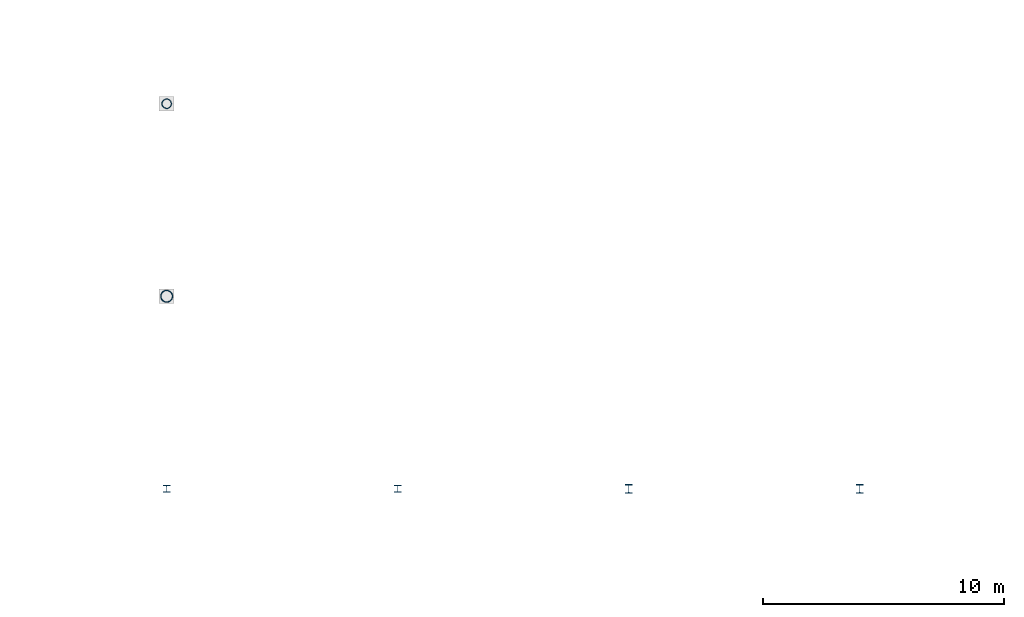
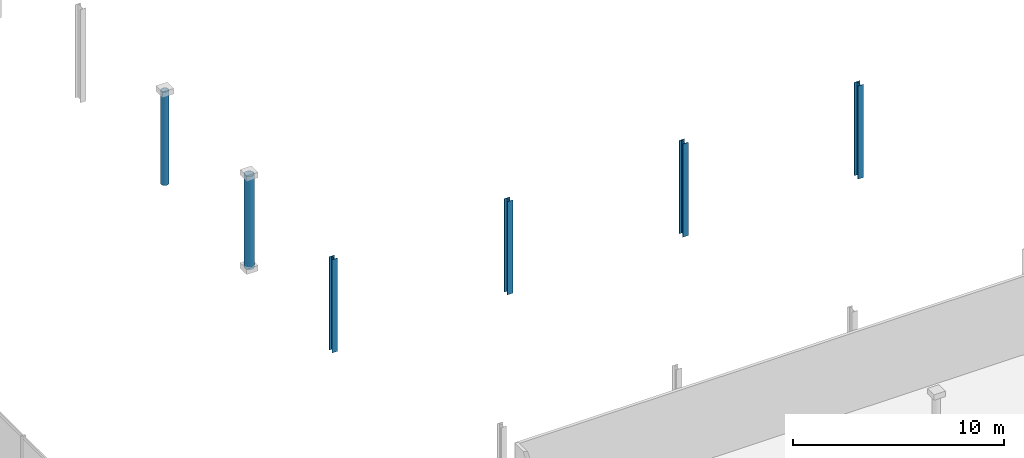
# One storey, part 14 of 129: 6 columns.
"""IFC4 building model written with IfcOpenShell, lengths in metres."""

import ifcopenshell
import ifcopenshell.guid

model = None  # the IFC model being written
_history = None  # IfcOwnerHistory: only IFC2X3 demands one
_inside = {}  # id of a spatial element -> (the spatial element, [elements in it])
_under = {}  # id of a project, library or spatial element -> (it, [spatial elements below it])
_declared = {}  # id of a project -> (the project, [libraries it declares])
_typed = {}  # id of a type object -> (the type object, [elements of that type])
_made_of = {}  # id of a material, layer set ... -> (it, [elements and type objects made of it])


def new_model(schema):
    """Start an empty IFC model of exactly this schema.

    Asked for "IFC4X3", IfcOpenShell would pick the latest addendum, in which some entities
    have other attributes; the version numbers below select the first issue.
    IFC2X3 requires an IfcOwnerHistory on every rooted entity: one is made here for all.
    """
    global model, _history
    if schema == "IFC4X3":
        model = ifcopenshell.file(schema_version=(4, 3, 0, 0))
    else:
        model = ifcopenshell.file(schema=schema)
    _inside.clear()
    _under.clear()
    _declared.clear()
    _typed.clear()
    _made_of.clear()
    _history = None
    if model.schema == "IFC2X3":
        org = make("IfcOrganization", Name="unknown")
        user = make(
            "IfcPersonAndOrganization",
            ThePerson=make("IfcPerson", FamilyName="unknown"),
            TheOrganization=org,
        )
        app = make(
            "IfcApplication",
            ApplicationDeveloper=org,
            Version="unknown",
            ApplicationFullName="unknown",
            ApplicationIdentifier="unknown",
        )
        _history = make(
            "IfcOwnerHistory",
            OwningUser=user,
            OwningApplication=app,
            ChangeAction="ADDED",
            CreationDate=0,
        )
    return model


def make(cls, **values):
    """One entity of the class cls with the attributes given. An attribute that is None is left unset."""
    return model.create_entity(
        cls, **{name: value for name, value in values.items() if value is not None}
    )


def rooted(cls, **values):
    """An entity with a GlobalId (a new one), such as an element, a storey or a relation."""
    return make(cls, GlobalId=ifcopenshell.guid.new(), OwnerHistory=_history, **values)


def si_unit(unit_type, name, prefix=None):
    """IfcSIUnit, for example si_unit("LENGTHUNIT", "METRE", prefix="MILLI")."""
    return make("IfcSIUnit", UnitType=unit_type, Prefix=prefix, Name=name)


def assignment(units):
    """IfcUnitAssignment: the units of a project."""
    return None if units is None else make("IfcUnitAssignment", Units=units)


def point(xyz):
    """IfcCartesianPoint."""
    return None if xyz is None else make("IfcCartesianPoint", Coordinates=xyz)


def direction(xyz):
    """IfcDirection."""
    return None if xyz is None else make("IfcDirection", DirectionRatios=xyz)


def frame(location, z_axis=None, x_axis=None):
    """IfcAxis2Placement3D, a coordinate frame: its origin and axes. An axis left out is left unset."""
    return make(
        "IfcAxis2Placement3D",
        Location=point(location),
        Axis=direction(z_axis),
        RefDirection=direction(x_axis),
    )


def frame_2d(location, x_axis=None):
    """IfcAxis2Placement2D, a coordinate frame in the plane: its origin and x axis."""
    return make(
        "IfcAxis2Placement2D", Location=point(location), RefDirection=direction(x_axis)
    )


def origin():
    """The frame at (0, 0, 0) with its axes left unset."""
    return frame((0.0, 0.0, 0.0))


def origin_2d():
    """The frame at (0, 0) in the plane with its x axis left unset."""
    return frame_2d((0.0, 0.0))


def place(relative_to, where):
    """IfcLocalPlacement: puts the frame where relative to a parent placement (None: the world)."""
    return make(
        "IfcLocalPlacement", PlacementRelTo=relative_to, RelativePlacement=where
    )


def context(
    kind, dimensions, precision=None, world=None, true_north=None, identifier=None
):
    """IfcGeometricRepresentationContext, for example the 3D "Model" context."""
    return make(
        "IfcGeometricRepresentationContext",
        ContextIdentifier=identifier,
        ContextType=kind,
        CoordinateSpaceDimension=dimensions,
        Precision=precision,
        WorldCoordinateSystem=world,
        TrueNorth=true_north,
    )


def subcontext(parent, identifier, kind, view, scale=None):
    """IfcGeometricRepresentationSubContext, for example "Body" below "Model"."""
    return make(
        "IfcGeometricRepresentationSubContext",
        ContextIdentifier=identifier,
        ContextType=kind,
        ParentContext=parent,
        TargetScale=scale,
        TargetView=view,
    )


def project(units=None, contexts=None):
    """IfcProject with its units and contexts."""
    return rooted(
        "IfcProject",
        Name="project",
        RepresentationContexts=contexts,
        UnitsInContext=assignment(units),
    )


def spatial(cls, under=None, at=None, **own):
    """A site, building, storey or space (cls), placed at a placement, below another one or the project."""
    s = rooted(cls, ObjectPlacement=at, **own)
    if under is not None:
        _under.setdefault(under.id(), (under, []))[1].append(s)
    return s


def profile(cls, at=None, kind="AREA", **sizes):
    """A parametric profile (cls). Its sizes go by their IFC names, for example OverallWidth=200.0."""
    return make(cls, ProfileType=kind, Position=at, **sizes)


def hollow_circle(**sizes):
    """IfcCircleHollowProfileDef."""
    return profile("IfcCircleHollowProfileDef", **sizes)


def i_section(**sizes):
    """IfcIShapeProfileDef."""
    return profile("IfcIShapeProfileDef", **sizes)


def extrude(swept, where, along, depth):
    """IfcExtrudedAreaSolid: the profile swept, set in the frame where, extruded along a direction by depth."""
    return make(
        "IfcExtrudedAreaSolid",
        SweptArea=swept,
        Position=where,
        ExtrudedDirection=direction(along),
        Depth=depth,
    )


def shape(context_of_items, identifier, shape_type, items):
    """IfcShapeRepresentation: the items that make up one representation, for example the "Body"."""
    return make(
        "IfcShapeRepresentation",
        ContextOfItems=context_of_items,
        RepresentationIdentifier=identifier,
        RepresentationType=shape_type,
        Items=items,
    )


def material(Name=None, Category=None):
    """IfcMaterial."""
    return make("IfcMaterial", Name=Name, Category=Category)


def material_profile(
    of_material, cross_section, Name=None, Category=None, Priority=None
):
    """IfcMaterialProfile: a cross section and its material."""
    return make(
        "IfcMaterialProfile",
        Name=Name,
        Material=of_material,
        Profile=cross_section,
        Priority=Priority,
        Category=Category,
    )


def profile_set(profiles, Name=None, composite=None):
    """IfcMaterialProfileSet."""
    return make(
        "IfcMaterialProfileSet",
        Name=Name,
        MaterialProfiles=profiles,
        CompositeProfile=composite,
    )


def made_of(thing, what):
    """Note that an element or type object is made of a material, layer set ...; save() writes the relation."""
    if what is not None:
        _made_of.setdefault(what.id(), (what, []))[1].append(thing)
    return thing


def type_object(cls, material=None, **own):
    """A type object (cls), such as IfcWallType, which elements share."""
    return made_of(rooted(cls, **own), material)


def element(
    cls,
    number,
    at=None,
    inside=None,
    cuts=None,
    type_object=None,
    material=None,
    context=None,
    identifier="Body",
    shape_type=None,
    held_by="IfcProductDefinitionShape",
    body=None,
    shapes=None,
    **own,
):
    """One element of the class cls, such as IfcWall. Its Tag is "e" and its number.

    at: its placement. inside: the storey or other place that contains it. cuts: it is an
    opening in that element (IfcRelVoidsElement). A single representation is given by context,
    identifier, shape_type and body (its items); several are given by shapes. held_by: the class
    of the entity that holds the representations. save() writes the other relations.
    """
    e = rooted(cls, Tag="e%d" % number, ObjectPlacement=at, **own)
    if body is not None:
        shapes = [shape(context, identifier, shape_type, body)]
    if shapes is not None:
        e.Representation = make(held_by, Representations=shapes)
    if inside is not None:
        _inside.setdefault(inside.id(), (inside, []))[1].append(e)
    if cuts is not None:
        rooted(
            "IfcRelVoidsElement", RelatingBuildingElement=cuts, RelatedOpeningElement=e
        )
    if type_object is not None:
        _typed.setdefault(type_object.id(), (type_object, []))[1].append(e)
    return made_of(e, material)


def aggregate(whole, parts):
    """IfcRelAggregates: a whole, such as a stair, and the parts it consists of."""
    return rooted("IfcRelAggregates", RelatingObject=whole, RelatedObjects=parts)


def save(model, path):
    """Write the relations noted so far, then the file.

    IfcRelAggregates (storeys below a building ...), IfcRelContainedInSpatialStructure (elements
    in a storey), IfcRelDefinesByType, IfcRelAssociatesMaterial and IfcRelDeclares: one each for
    every whole, place, type object, material and project.
    """
    for whole, parts in _under.values():
        aggregate(whole, parts)
    for where, things in _inside.values():
        rooted(
            "IfcRelContainedInSpatialStructure",
            RelatedElements=things,
            RelatingStructure=where,
        )
    for kind, things in _typed.values():
        rooted("IfcRelDefinesByType", RelatedObjects=things, RelatingType=kind)
    for what, things in _made_of.values():
        rooted("IfcRelAssociatesMaterial", RelatedObjects=things, RelatingMaterial=what)
    for by, libraries in _declared.values():
        rooted("IfcRelDeclares", RelatingContext=by, RelatedDefinitions=libraries)
    model.write(path)


model = new_model("IFC4")

# Units and contexts
model_context = context("Model", 3, precision=1e-05, world=origin(), true_north=direction((0.0, 1.0)))
body_context = subcontext(model_context, "Body", "Model", "MODEL_VIEW")
ifc_project = project(units=[si_unit("LENGTHUNIT", "METRE"), si_unit("AREAUNIT", "SQUARE_METRE"), si_unit("VOLUMEUNIT", "CUBIC_METRE"), si_unit("PLANEANGLEUNIT", "RADIAN"), si_unit("MASSUNIT", "GRAM", prefix="KILO")], contexts=[model_context])

# Site, building, storey
site_placement = place(None, origin())
site = spatial("IfcSite", under=ifc_project, at=site_placement, CompositionType="ELEMENT")
building_placement = place(site_placement, origin())
building = spatial("IfcBuilding", under=site, at=building_placement, Name="Danafjord Basin Convention Centre", CompositionType="ELEMENT")
storey_placement = place(building_placement, frame((0.0, 0.0, 6.0)))
storey = spatial("IfcBuildingStorey", under=building, at=storey_placement, Name="L01", CompositionType="ELEMENT", Elevation=6.0)

# Columns
ifc_material = material(Name="Steel S355", Category="steel")
ifc_material_profile_1 = material_profile(ifc_material, hollow_circle(Radius=0.203125, WallThickness=0.02001953125, at=origin_2d()), Name="CHS 406.4x20.0")
ifc_profile_set_1 = profile_set([ifc_material_profile_1], Name="Steel S355")
column_type_1 = type_object("IfcColumnType", Name="COL-C-CHS406", PredefinedType="COLUMN", material=ifc_profile_set_1)
column_1_placement = place(storey_placement, frame((144.0, 56.0, 0.0), z_axis=(0.0, 0.0, 1.0), x_axis=(1.0, 0.0, 0.0)))
element("IfcColumn", 1, at=column_1_placement, inside=storey, type_object=column_type_1, Name="L01 column C-CHS406 at (144.0, 56.0)", PredefinedType="COLUMN", context=body_context, shape_type="SweptSolid", body=[
    extrude(hollow_circle(Radius=0.203125, WallThickness=0.02001953125, at=origin_2d()), origin(), (0.0, 0.0, 1.0), 5.39990234375),
])
ifc_material_profile_2 = material_profile(ifc_material, hollow_circle(Radius=0.25390625, WallThickness=0.02490234375, at=origin_2d()), Name="CHS 508.0x25.0")
ifc_profile_set_2 = profile_set([ifc_material_profile_2], Name="Steel S355")
column_type_2 = type_object("IfcColumnType", Name="COL-C-CHS508", PredefinedType="COLUMN", material=ifc_profile_set_2)
column_2_placement = place(storey_placement, frame((144.0, 48.0, 0.0), z_axis=(0.0, 0.0, 1.0), x_axis=(1.0, 0.0, 0.0)))
element("IfcColumn", 2, at=column_2_placement, inside=storey, type_object=column_type_2, Name="L01 column C-CHS508 at (144.0, 48.0)", PredefinedType="COLUMN", context=body_context, shape_type="SweptSolid", body=[
    extrude(hollow_circle(Radius=0.25390625, WallThickness=0.02490234375, at=origin_2d()), origin(), (0.0, 0.0, 1.0), 5.39990234375),
])
ifc_material_profile_3 = material_profile(ifc_material, i_section(OverallWidth=0.300048828125, OverallDepth=0.300048828125, WebThickness=0.010986328125, FlangeThickness=0.01904296875, FilletRadius=0.027099609375, at=origin_2d()), Name="HEB 300")
ifc_profile_set_3 = profile_set([ifc_material_profile_3], Name="Steel S355")
column_type_3 = type_object("IfcColumnType", Name="COL-C-HEB300", PredefinedType="COLUMN", material=ifc_profile_set_3)
for number, where, z_axis, x_axis, name in (
    (3, (144.0, 40.0, 0.0), (0.0, 0.0, 1.0), (1.0, 0.0, 0.0), "L01 column C-HEB300 at (144.0, 40.0)"),
    (4, (153.60009765625, 40.0, 0.0), (0.0, 0.0, 1.0), (1.0, 0.0, 0.0), "L01 column C-HEB300 at (153.6, 40.0)"),
):
    element("IfcColumn", number, at=place(storey_placement, frame(where, z_axis=z_axis, x_axis=x_axis)), inside=storey, type_object=column_type_3, Name=name, PredefinedType="COLUMN", context=body_context, shape_type="SweptSolid", body=[
        extrude(i_section(OverallWidth=0.300048828125, OverallDepth=0.300048828125, WebThickness=0.010986328125, FlangeThickness=0.01904296875, FilletRadius=0.027099609375, at=origin_2d()), origin(), (0.0, 0.0, 1.0), 5.39990234375),
    ])
ifc_material_profile_4 = material_profile(ifc_material, i_section(OverallWidth=0.300048828125, OverallDepth=0.360107421875, WebThickness=0.012451171875, FlangeThickness=0.0224609375, FilletRadius=0.027099609375, at=origin_2d()), Name="HEB 360")
ifc_profile_set_4 = profile_set([ifc_material_profile_4], Name="Steel S355")
column_type_4 = type_object("IfcColumnType", Name="COL-C-HEB360", PredefinedType="COLUMN", material=ifc_profile_set_4)
for number, where, z_axis, x_axis, name in (
    (5, (163.199951171875, 40.0, 0.0), (0.0, 0.0, 1.0), (1.0, 0.0, 0.0), "L01 column C-HEB360 at (163.2, 40.0)"),
    (6, (172.800048828125, 40.0, 0.0), (0.0, 0.0, 1.0), (1.0, 0.0, 0.0), "L01 column C-HEB360 at (172.8, 40.0)"),
):
    element("IfcColumn", number, at=place(storey_placement, frame(where, z_axis=z_axis, x_axis=x_axis)), inside=storey, type_object=column_type_4, Name=name, PredefinedType="COLUMN", context=body_context, shape_type="SweptSolid", body=[
        extrude(i_section(OverallWidth=0.300048828125, OverallDepth=0.360107421875, WebThickness=0.012451171875, FlangeThickness=0.0224609375, FilletRadius=0.027099609375, at=origin_2d()), origin(), (0.0, 0.0, 1.0), 5.39990234375),
    ])

save(model, "model.ifc")
